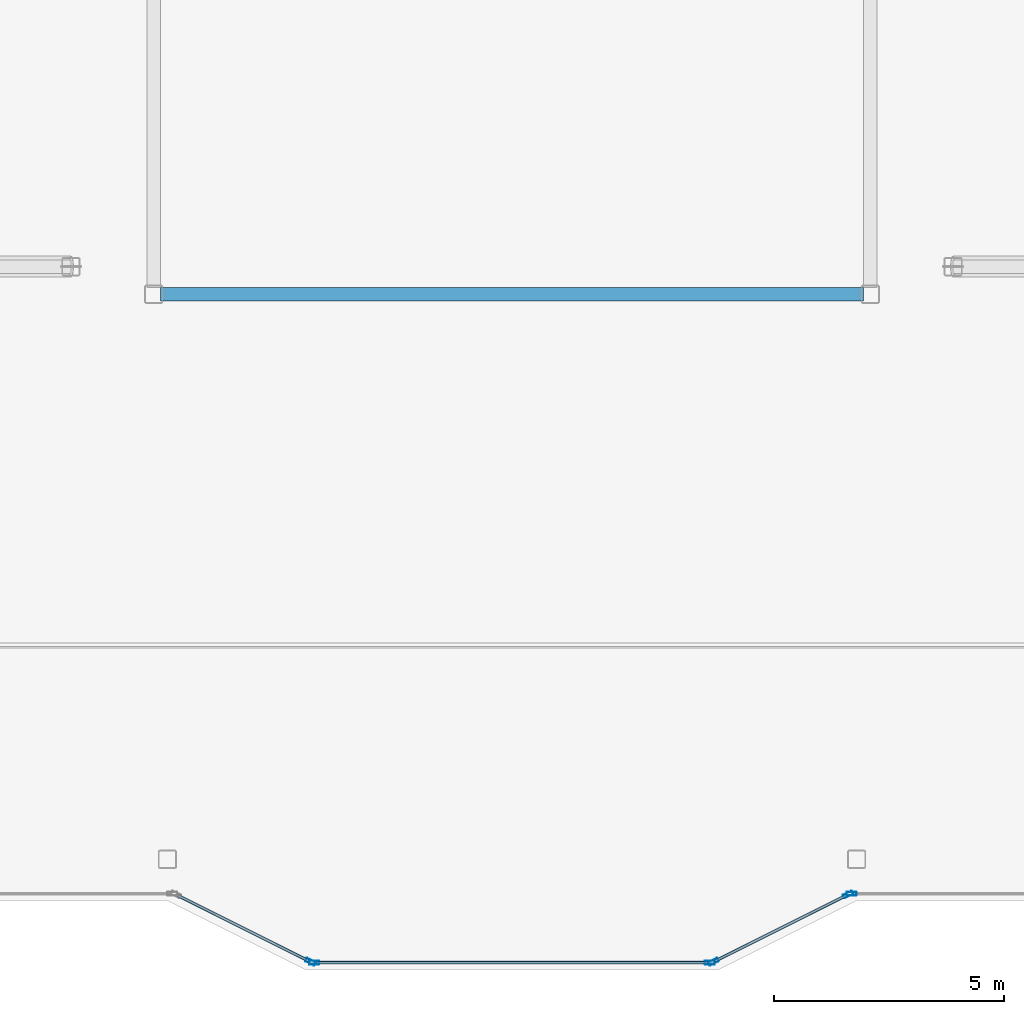
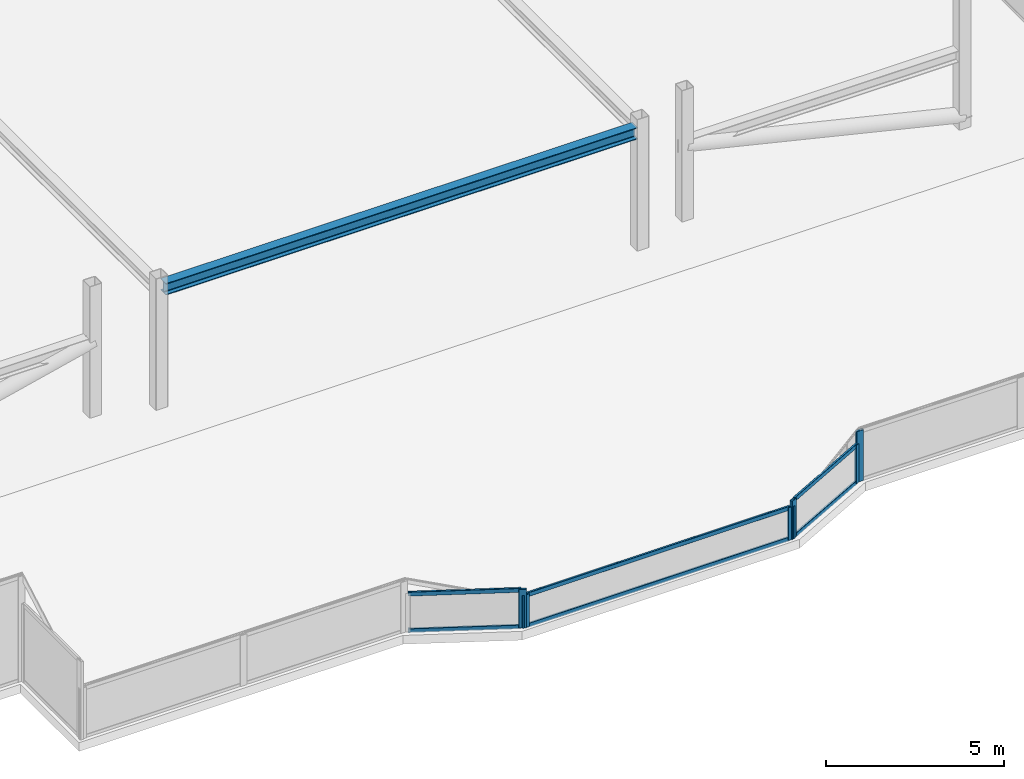
# One storey, part 4 of 16: 12 members, 1 beam, 4 elements without a shape of their own.
"""IFC4 building model written with IfcOpenShell, lengths in metres."""

import ifcopenshell
import ifcopenshell.guid

model = None  # the IFC model being written
_history = None  # IfcOwnerHistory: only IFC2X3 demands one
_inside = {}  # id of a spatial element -> (the spatial element, [elements in it])
_under = {}  # id of a project, library or spatial element -> (it, [spatial elements below it])
_declared = {}  # id of a project -> (the project, [libraries it declares])
_typed = {}  # id of a type object -> (the type object, [elements of that type])
_made_of = {}  # id of a material, layer set ... -> (it, [elements and type objects made of it])


def new_model(schema):
    """Start an empty IFC model of exactly this schema.

    Asked for "IFC4X3", IfcOpenShell would pick the latest addendum, in which some entities
    have other attributes; the version numbers below select the first issue.
    IFC2X3 requires an IfcOwnerHistory on every rooted entity: one is made here for all.
    """
    global model, _history
    if schema == "IFC4X3":
        model = ifcopenshell.file(schema_version=(4, 3, 0, 0))
    else:
        model = ifcopenshell.file(schema=schema)
    _inside.clear()
    _under.clear()
    _declared.clear()
    _typed.clear()
    _made_of.clear()
    _history = None
    if model.schema == "IFC2X3":
        org = make("IfcOrganization", Name="unknown")
        user = make(
            "IfcPersonAndOrganization",
            ThePerson=make("IfcPerson", FamilyName="unknown"),
            TheOrganization=org,
        )
        app = make(
            "IfcApplication",
            ApplicationDeveloper=org,
            Version="unknown",
            ApplicationFullName="unknown",
            ApplicationIdentifier="unknown",
        )
        _history = make(
            "IfcOwnerHistory",
            OwningUser=user,
            OwningApplication=app,
            ChangeAction="ADDED",
            CreationDate=0,
        )
    return model


def make(cls, **values):
    """One entity of the class cls with the attributes given. An attribute that is None is left unset."""
    return model.create_entity(
        cls, **{name: value for name, value in values.items() if value is not None}
    )


def rooted(cls, **values):
    """An entity with a GlobalId (a new one), such as an element, a storey or a relation."""
    return make(cls, GlobalId=ifcopenshell.guid.new(), OwnerHistory=_history, **values)


def si_unit(unit_type, name, prefix=None):
    """IfcSIUnit, for example si_unit("LENGTHUNIT", "METRE", prefix="MILLI")."""
    return make("IfcSIUnit", UnitType=unit_type, Prefix=prefix, Name=name)


def assignment(units):
    """IfcUnitAssignment: the units of a project."""
    return None if units is None else make("IfcUnitAssignment", Units=units)


def point(xyz):
    """IfcCartesianPoint."""
    return None if xyz is None else make("IfcCartesianPoint", Coordinates=xyz)


def direction(xyz):
    """IfcDirection."""
    return None if xyz is None else make("IfcDirection", DirectionRatios=xyz)


def frame(location, z_axis=None, x_axis=None):
    """IfcAxis2Placement3D, a coordinate frame: its origin and axes. An axis left out is left unset."""
    return make(
        "IfcAxis2Placement3D",
        Location=point(location),
        Axis=direction(z_axis),
        RefDirection=direction(x_axis),
    )


def frame_2d(location, x_axis=None):
    """IfcAxis2Placement2D, a coordinate frame in the plane: its origin and x axis."""
    return make(
        "IfcAxis2Placement2D", Location=point(location), RefDirection=direction(x_axis)
    )


def origin():
    """The frame at (0, 0, 0) with its axes left unset."""
    return frame((0.0, 0.0, 0.0))


def origin_2d():
    """The frame at (0, 0) in the plane with its x axis left unset."""
    return frame_2d((0.0, 0.0))


def place(relative_to, where):
    """IfcLocalPlacement: puts the frame where relative to a parent placement (None: the world)."""
    return make(
        "IfcLocalPlacement", PlacementRelTo=relative_to, RelativePlacement=where
    )


def context(
    kind, dimensions, precision=None, world=None, true_north=None, identifier=None
):
    """IfcGeometricRepresentationContext, for example the 3D "Model" context."""
    return make(
        "IfcGeometricRepresentationContext",
        ContextIdentifier=identifier,
        ContextType=kind,
        CoordinateSpaceDimension=dimensions,
        Precision=precision,
        WorldCoordinateSystem=world,
        TrueNorth=true_north,
    )


def subcontext(parent, identifier, kind, view, scale=None):
    """IfcGeometricRepresentationSubContext, for example "Body" below "Model"."""
    return make(
        "IfcGeometricRepresentationSubContext",
        ContextIdentifier=identifier,
        ContextType=kind,
        ParentContext=parent,
        TargetScale=scale,
        TargetView=view,
    )


def project(units=None, contexts=None):
    """IfcProject with its units and contexts."""
    return rooted(
        "IfcProject",
        Name="project",
        RepresentationContexts=contexts,
        UnitsInContext=assignment(units),
    )


def spatial(cls, under=None, at=None, **own):
    """A site, building, storey or space (cls), placed at a placement, below another one or the project."""
    s = rooted(cls, ObjectPlacement=at, **own)
    if under is not None:
        _under.setdefault(under.id(), (under, []))[1].append(s)
    return s


def profile(cls, at=None, kind="AREA", **sizes):
    """A parametric profile (cls). Its sizes go by their IFC names, for example OverallWidth=200.0."""
    return make(cls, ProfileType=kind, Position=at, **sizes)


def hollow_rectangle(**sizes):
    """IfcRectangleHollowProfileDef."""
    return profile("IfcRectangleHollowProfileDef", **sizes)


def i_section(**sizes):
    """IfcIShapeProfileDef."""
    return profile("IfcIShapeProfileDef", **sizes)


def extrude(swept, where, along, depth):
    """IfcExtrudedAreaSolid: the profile swept, set in the frame where, extruded along a direction by depth."""
    return make(
        "IfcExtrudedAreaSolid",
        SweptArea=swept,
        Position=where,
        ExtrudedDirection=direction(along),
        Depth=depth,
    )


def shape(context_of_items, identifier, shape_type, items):
    """IfcShapeRepresentation: the items that make up one representation, for example the "Body"."""
    return make(
        "IfcShapeRepresentation",
        ContextOfItems=context_of_items,
        RepresentationIdentifier=identifier,
        RepresentationType=shape_type,
        Items=items,
    )


def material(Name=None, Category=None):
    """IfcMaterial."""
    return make("IfcMaterial", Name=Name, Category=Category)


def layer(
    of_material, thickness, ventilated=None, Name=None, Category=None, Priority=None
):
    """IfcMaterialLayer: one layer of a wall or slab, of a material (None: an air gap)."""
    return make(
        "IfcMaterialLayer",
        Material=of_material,
        LayerThickness=thickness,
        IsVentilated=ventilated,
        Name=Name,
        Category=Category,
        Priority=Priority,
    )


def layer_set(layers, Name=None):
    """IfcMaterialLayerSet."""
    return make("IfcMaterialLayerSet", MaterialLayers=layers, LayerSetName=Name)


def material_profile(
    of_material, cross_section, Name=None, Category=None, Priority=None
):
    """IfcMaterialProfile: a cross section and its material."""
    return make(
        "IfcMaterialProfile",
        Name=Name,
        Material=of_material,
        Profile=cross_section,
        Priority=Priority,
        Category=Category,
    )


def profile_set(profiles, Name=None, composite=None):
    """IfcMaterialProfileSet."""
    return make(
        "IfcMaterialProfileSet",
        Name=Name,
        MaterialProfiles=profiles,
        CompositeProfile=composite,
    )


def made_of(thing, what):
    """Note that an element or type object is made of a material, layer set ...; save() writes the relation."""
    if what is not None:
        _made_of.setdefault(what.id(), (what, []))[1].append(thing)
    return thing


def type_object(cls, material=None, **own):
    """A type object (cls), such as IfcWallType, which elements share."""
    return made_of(rooted(cls, **own), material)


def element(
    cls,
    number,
    at=None,
    inside=None,
    cuts=None,
    type_object=None,
    material=None,
    context=None,
    identifier="Body",
    shape_type=None,
    held_by="IfcProductDefinitionShape",
    body=None,
    shapes=None,
    **own,
):
    """One element of the class cls, such as IfcWall. Its Tag is "e" and its number.

    at: its placement. inside: the storey or other place that contains it. cuts: it is an
    opening in that element (IfcRelVoidsElement). A single representation is given by context,
    identifier, shape_type and body (its items); several are given by shapes. held_by: the class
    of the entity that holds the representations. save() writes the other relations.
    """
    e = rooted(cls, Tag="e%d" % number, ObjectPlacement=at, **own)
    if body is not None:
        shapes = [shape(context, identifier, shape_type, body)]
    if shapes is not None:
        e.Representation = make(held_by, Representations=shapes)
    if inside is not None:
        _inside.setdefault(inside.id(), (inside, []))[1].append(e)
    if cuts is not None:
        rooted(
            "IfcRelVoidsElement", RelatingBuildingElement=cuts, RelatedOpeningElement=e
        )
    if type_object is not None:
        _typed.setdefault(type_object.id(), (type_object, []))[1].append(e)
    return made_of(e, material)


def aggregate(whole, parts):
    """IfcRelAggregates: a whole, such as a stair, and the parts it consists of."""
    return rooted("IfcRelAggregates", RelatingObject=whole, RelatedObjects=parts)


def save(model, path):
    """Write the relations noted so far, then the file.

    IfcRelAggregates (storeys below a building ...), IfcRelContainedInSpatialStructure (elements
    in a storey), IfcRelDefinesByType, IfcRelAssociatesMaterial and IfcRelDeclares: one each for
    every whole, place, type object, material and project.
    """
    for whole, parts in _under.values():
        aggregate(whole, parts)
    for where, things in _inside.values():
        rooted(
            "IfcRelContainedInSpatialStructure",
            RelatedElements=things,
            RelatingStructure=where,
        )
    for kind, things in _typed.values():
        rooted("IfcRelDefinesByType", RelatedObjects=things, RelatingType=kind)
    for what, things in _made_of.values():
        rooted("IfcRelAssociatesMaterial", RelatedObjects=things, RelatingMaterial=what)
    for by, libraries in _declared.values():
        rooted("IfcRelDeclares", RelatingContext=by, RelatedDefinitions=libraries)
    model.write(path)


model = new_model("IFC4")

# Units and contexts
model_context = context("Model", 3, precision=1e-05, world=origin(), true_north=direction((0.0, 1.0)))
body_context = subcontext(model_context, "Body", "Model", "MODEL_VIEW")
ifc_project = project(units=[si_unit("LENGTHUNIT", "METRE"), si_unit("AREAUNIT", "SQUARE_METRE"), si_unit("VOLUMEUNIT", "CUBIC_METRE"), si_unit("PLANEANGLEUNIT", "RADIAN"), si_unit("MASSUNIT", "GRAM", prefix="KILO")], contexts=[model_context])

# Site, building, storey
site_placement = place(None, origin())
site = spatial("IfcSite", under=ifc_project, at=site_placement, CompositionType="ELEMENT")
building_placement = place(site_placement, origin())
building = spatial("IfcBuilding", under=site, at=building_placement, Name="Tarnavaz Court Tower", CompositionType="ELEMENT")
storey_placement = place(building_placement, frame((0.0, 0.0, 290.550048828125)))
storey = spatial("IfcBuildingStorey", under=building, at=storey_placement, Name="C03", CompositionType="ELEMENT", Elevation=290.550048828125)

# Beam
ifc_material_1 = material(Name="Steel S355", Category="steel")
ifc_material_profile_1 = material_profile(ifc_material_1, i_section(OverallWidth=0.300048828125, OverallDepth=0.39990234375, WebThickness=0.013427734375, FlangeThickness=0.02392578125, FilletRadius=0.027099609375, at=origin_2d()), Name="HEB 400")
ifc_profile_set_1 = profile_set([ifc_material_profile_1], Name="Steel S355")
beam_type = type_object("IfcBeamType", Name="BM-G-HEB400", PredefinedType="USERDEFINED", material=ifc_profile_set_1)
beam_placement = place(storey_placement, frame((-7.64990234375, -7.800048828125, 4.0), z_axis=(1.0, 0.0, 0.0), x_axis=(0.0, 1.0, 0.0)))
element("IfcBeam", 1, at=beam_placement, inside=storey, type_object=beam_type, Name="C03 Beam CRG-IW-SW-IW-SE", ObjectType="GIRDER", PredefinedType="USERDEFINED", context=body_context, shape_type="SweptSolid", body=[
    extrude(i_section(OverallWidth=0.300048828125, OverallDepth=0.39990234375, WebThickness=0.013427734375, FlangeThickness=0.02392578125, FilletRadius=0.027099609375, at=origin_2d()), origin(), (0.0, 0.0, 1.0), 15.2998046875),
])

# Curtain wall, member
ifc_material_2 = material(Name="Anodised Aluminium 6063-T6 and Solar Low-E Glazing", Category="aluminium")
ifc_layer = layer(ifc_material_2, 0.2099609375)
ifc_layer_set = layer_set([ifc_layer], Name="Anodised Aluminium 6063-T6 and Solar Low-E Glazing")
curtain_wall_type = type_object("IfcCurtainWallType", Name="CW-SYS-06", PredefinedType="NOTDEFINED", material=ifc_layer_set)
curtain_wall_1_placement = place(storey_placement, origin())
curtain_wall_1 = element("IfcCurtainWall", 2, at=curtain_wall_1_placement, inside=storey, type_object=curtain_wall_type, Name="C03 Slanted Crown Terracotta Curtain Wall 37", PredefinedType="NOTDEFINED")
ifc_material_3 = material(Name="Anodised Aluminium 6063-T6", Category="aluminium")
ifc_material_profile_2 = material_profile(ifc_material_3, hollow_rectangle(XDim=0.0849609375, YDim=0.219970703125, WallThickness=0.006103515625, InnerFilletRadius=0.006103515625, OuterFilletRadius=0.011962890625, at=origin_2d()), Name="ALU RHS 220X85X6")
ifc_profile_set_2 = profile_set([ifc_material_profile_2], Name="Anodised Aluminium 6063-T6")
member_type_1 = type_object("IfcMemberType", Name="CW-MUL-220", PredefinedType="MULLION", material=ifc_profile_set_2)
member_1_placement = place(storey_placement, frame((7.392578125, -20.85009765625, 0.0), z_axis=(0.0, 0.0, 1.0), x_axis=(0.0, -1.0, 0.0)))
member_1 = element("IfcMember", 3, at=member_1_placement, type_object=member_type_1, Name="CW mullion 3", PredefinedType="MULLION", context=body_context, shape_type="SweptSolid", body=[
    extrude(hollow_rectangle(XDim=0.0849609375, YDim=0.219970703125, WallThickness=0.006103515625, InnerFilletRadius=0.006103515625, OuterFilletRadius=0.011962890625, at=origin_2d()), origin(), (0.0, 0.0, 1.0), 1.7431640625),
])
aggregate(curtain_wall_1, [member_1])

# Curtain wall, members
curtain_wall_2_placement = place(storey_placement, origin())
curtain_wall_2 = element("IfcCurtainWall", 4, at=curtain_wall_2_placement, inside=storey, type_object=curtain_wall_type, Name="C03 Slanted Crown Terracotta Curtain Wall 38", PredefinedType="NOTDEFINED")
member_2_placement = place(storey_placement, frame((7.31201171875, -20.868896484375, 0.0), z_axis=(0.0, 0.0, 1.0), x_axis=(0.447213595499, -0.894427191001, 0.0)))
member_2 = element("IfcMember", 5, at=member_2_placement, type_object=member_type_1, Name="CW mullion 1", PredefinedType="MULLION", context=body_context, shape_type="SweptSolid", body=[
    extrude(hollow_rectangle(XDim=0.0849609375, YDim=0.219970703125, WallThickness=0.006103515625, InnerFilletRadius=0.006103515625, OuterFilletRadius=0.011962890625, at=origin_2d()), origin(), (0.0, 0.0, 1.0), 1.31884765625),
])
member_3_placement = place(storey_placement, frame((4.387939453125, -22.3310546875, 0.0), z_axis=(0.0, 0.0, 1.0), x_axis=(0.447213595499, -0.894427191001, 0.0)))
member_3 = element("IfcMember", 6, at=member_3_placement, type_object=member_type_1, Name="CW mullion 2", PredefinedType="MULLION", context=body_context, shape_type="SweptSolid", body=[
    extrude(hollow_rectangle(XDim=0.0849609375, YDim=0.219970703125, WallThickness=0.006103515625, InnerFilletRadius=0.006103515625, OuterFilletRadius=0.011962890625, at=origin_2d()), origin(), (0.0, 0.0, 1.0), 1.31884765625),
])

curtain_wall_3_placement = place(storey_placement, origin())
curtain_wall_3 = element("IfcCurtainWall", 7, at=curtain_wall_3_placement, inside=storey, type_object=curtain_wall_type, Name="C03 Slanted Crown Terracotta Curtain Wall 39", PredefinedType="NOTDEFINED")
member_4_placement = place(storey_placement, frame((4.3076171875, -22.35009765625, 0.0), z_axis=(0.0, 0.0, 1.0), x_axis=(0.0, -1.0, 0.0)))
member_4 = element("IfcMember", 8, at=member_4_placement, type_object=member_type_1, Name="CW mullion 1", PredefinedType="MULLION", context=body_context, shape_type="SweptSolid", body=[
    extrude(hollow_rectangle(XDim=0.0849609375, YDim=0.219970703125, WallThickness=0.006103515625, InnerFilletRadius=0.006103515625, OuterFilletRadius=0.011962890625, at=origin_2d()), origin(), (0.0, 0.0, 1.0), 1.119873046875),
])
member_5_placement = place(storey_placement, frame((-4.3076171875, -22.35009765625, 0.0), z_axis=(0.0, 0.0, 1.0), x_axis=(0.0, -1.0, 0.0)))
member_5 = element("IfcMember", 9, at=member_5_placement, type_object=member_type_1, Name="CW mullion 2", PredefinedType="MULLION", context=body_context, shape_type="SweptSolid", body=[
    extrude(hollow_rectangle(XDim=0.0849609375, YDim=0.219970703125, WallThickness=0.006103515625, InnerFilletRadius=0.006103515625, OuterFilletRadius=0.011962890625, at=origin_2d()), origin(), (0.0, 0.0, 1.0), 1.119873046875),
])

# Curtain wall, member
curtain_wall_4_placement = place(storey_placement, origin())
curtain_wall_4 = element("IfcCurtainWall", 10, at=curtain_wall_4_placement, inside=storey, type_object=curtain_wall_type, Name="C03 Slanted Crown Terracotta Curtain Wall 40", PredefinedType="NOTDEFINED")
member_6_placement = place(storey_placement, frame((-4.387939453125, -22.3310546875, 0.0), z_axis=(0.0, 0.0, 1.0), x_axis=(-0.447213595499, -0.894427191001, 0.0)))
member_6 = element("IfcMember", 11, at=member_6_placement, type_object=member_type_1, Name="CW mullion 1", PredefinedType="MULLION", context=body_context, shape_type="SweptSolid", body=[
    extrude(hollow_rectangle(XDim=0.0849609375, YDim=0.219970703125, WallThickness=0.006103515625, InnerFilletRadius=0.006103515625, OuterFilletRadius=0.011962890625, at=origin_2d()), origin(), (0.0, 0.0, 1.0), 1.31884765625),
])

# Member
ifc_material_profile_3 = material_profile(ifc_material_3, hollow_rectangle(XDim=0.06494140625, YDim=0.139892578125, WallThickness=0.00390625, InnerFilletRadius=0.00390625, OuterFilletRadius=0.008056640625, at=origin_2d()), Name="ALU RHS 140X65X4")
ifc_profile_set_3 = profile_set([ifc_material_profile_3], Name="Anodised Aluminium 6063-T6")
member_type_2 = type_object("IfcMemberType", Name="CW-TRN-140", PredefinedType="USERDEFINED", material=ifc_profile_set_3)
member_7_placement = place(storey_placement, frame((7.27392578125, -20.887939453125, 0.032470703125), z_axis=(-0.894411855509, -0.447244265168, 0.0), x_axis=(0.447244265168, -0.894411855509, 0.0)))
member_7 = element("IfcMember", 12, at=member_7_placement, type_object=member_type_2, Name="CW transom 1.1", ObjectType="TRANSOM", PredefinedType="USERDEFINED", context=body_context, shape_type="SweptSolid", body=[
    extrude(hollow_rectangle(XDim=0.06494140625, YDim=0.139892578125, WallThickness=0.00390625, InnerFilletRadius=0.00390625, OuterFilletRadius=0.008056640625, at=origin_2d()), origin(), (0.0, 0.0, 1.0), 3.18408203125),
])

member_8_placement = place(storey_placement, frame((7.27392578125, -20.887939453125, 1.286376953125), z_axis=(-0.894411855509, -0.447244265168, 0.0), x_axis=(0.447244265168, -0.894411855509, 0.0)))
member_8 = element("IfcMember", 13, at=member_8_placement, type_object=member_type_2, Name="CW transom 1.2", ObjectType="TRANSOM", PredefinedType="USERDEFINED", context=body_context, shape_type="SweptSolid", body=[
    extrude(hollow_rectangle(XDim=0.06494140625, YDim=0.139892578125, WallThickness=0.00390625, InnerFilletRadius=0.00390625, OuterFilletRadius=0.008056640625, at=origin_2d()), origin(), (0.0, 0.0, 1.0), 3.18408203125),
])

aggregate(curtain_wall_2, [member_2, member_3, member_7, member_8])

member_9_placement = place(storey_placement, frame((4.264892578125, -22.35009765625, 0.032470703125), z_axis=(-1.0, 0.0, 0.0), x_axis=(0.0, -1.0, 0.0)))
member_9 = element("IfcMember", 14, at=member_9_placement, type_object=member_type_2, Name="CW transom 1.1", ObjectType="TRANSOM", PredefinedType="USERDEFINED", context=body_context, shape_type="SweptSolid", body=[
    extrude(hollow_rectangle(XDim=0.06494140625, YDim=0.139892578125, WallThickness=0.00390625, InnerFilletRadius=0.00390625, OuterFilletRadius=0.008056640625, at=origin_2d()), origin(), (0.0, 0.0, 1.0), 8.52978515625),
])

member_10_placement = place(storey_placement, frame((4.264892578125, -22.35009765625, 1.08740234375), z_axis=(-1.0, 0.0, 0.0), x_axis=(0.0, -1.0, 0.0)))
member_10 = element("IfcMember", 15, at=member_10_placement, type_object=member_type_2, Name="CW transom 1.2", ObjectType="TRANSOM", PredefinedType="USERDEFINED", context=body_context, shape_type="SweptSolid", body=[
    extrude(hollow_rectangle(XDim=0.06494140625, YDim=0.139892578125, WallThickness=0.00390625, InnerFilletRadius=0.00390625, OuterFilletRadius=0.008056640625, at=origin_2d()), origin(), (0.0, 0.0, 1.0), 8.52978515625),
])

aggregate(curtain_wall_3, [member_4, member_5, member_9, member_10])

member_11_placement = place(storey_placement, frame((-4.426025390625, -22.31201171875, 0.032470703125), z_axis=(-0.894411855509, 0.447244265168, 0.0), x_axis=(-0.447244265168, -0.894411855509, 0.0)))
member_11 = element("IfcMember", 16, at=member_11_placement, type_object=member_type_2, Name="CW transom 1.1", ObjectType="TRANSOM", PredefinedType="USERDEFINED", context=body_context, shape_type="SweptSolid", body=[
    extrude(hollow_rectangle(XDim=0.06494140625, YDim=0.139892578125, WallThickness=0.00390625, InnerFilletRadius=0.00390625, OuterFilletRadius=0.008056640625, at=origin_2d()), origin(), (0.0, 0.0, 1.0), 3.18408203125),
])

member_12_placement = place(storey_placement, frame((-4.426025390625, -22.31201171875, 1.286376953125), z_axis=(-0.894411855509, 0.447244265168, 0.0), x_axis=(-0.447244265168, -0.894411855509, 0.0)))
member_12 = element("IfcMember", 17, at=member_12_placement, type_object=member_type_2, Name="CW transom 1.2", ObjectType="TRANSOM", PredefinedType="USERDEFINED", context=body_context, shape_type="SweptSolid", body=[
    extrude(hollow_rectangle(XDim=0.06494140625, YDim=0.139892578125, WallThickness=0.00390625, InnerFilletRadius=0.00390625, OuterFilletRadius=0.008056640625, at=origin_2d()), origin(), (0.0, 0.0, 1.0), 3.18408203125),
])

aggregate(curtain_wall_4, [member_6, member_11, member_12])

save(model, "model.ifc")
